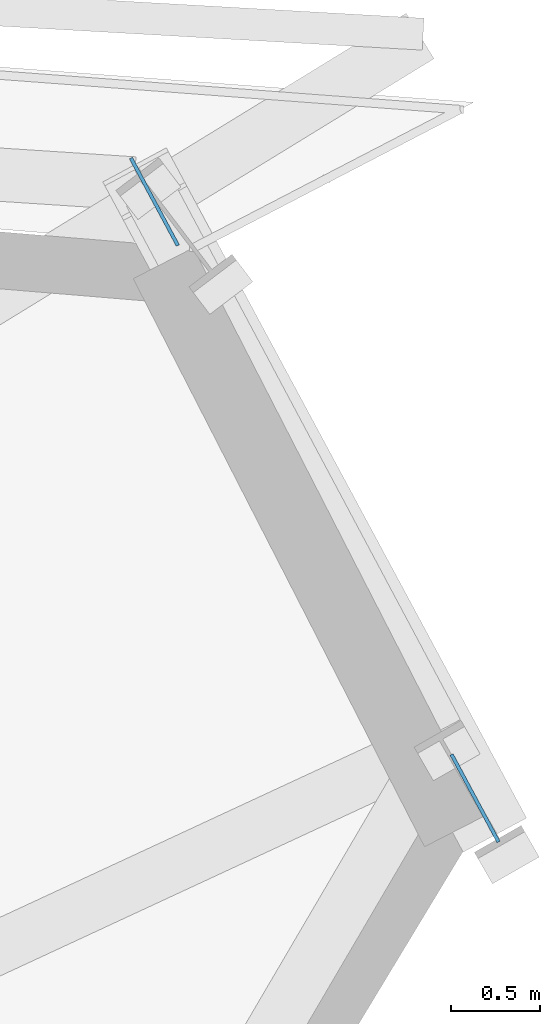
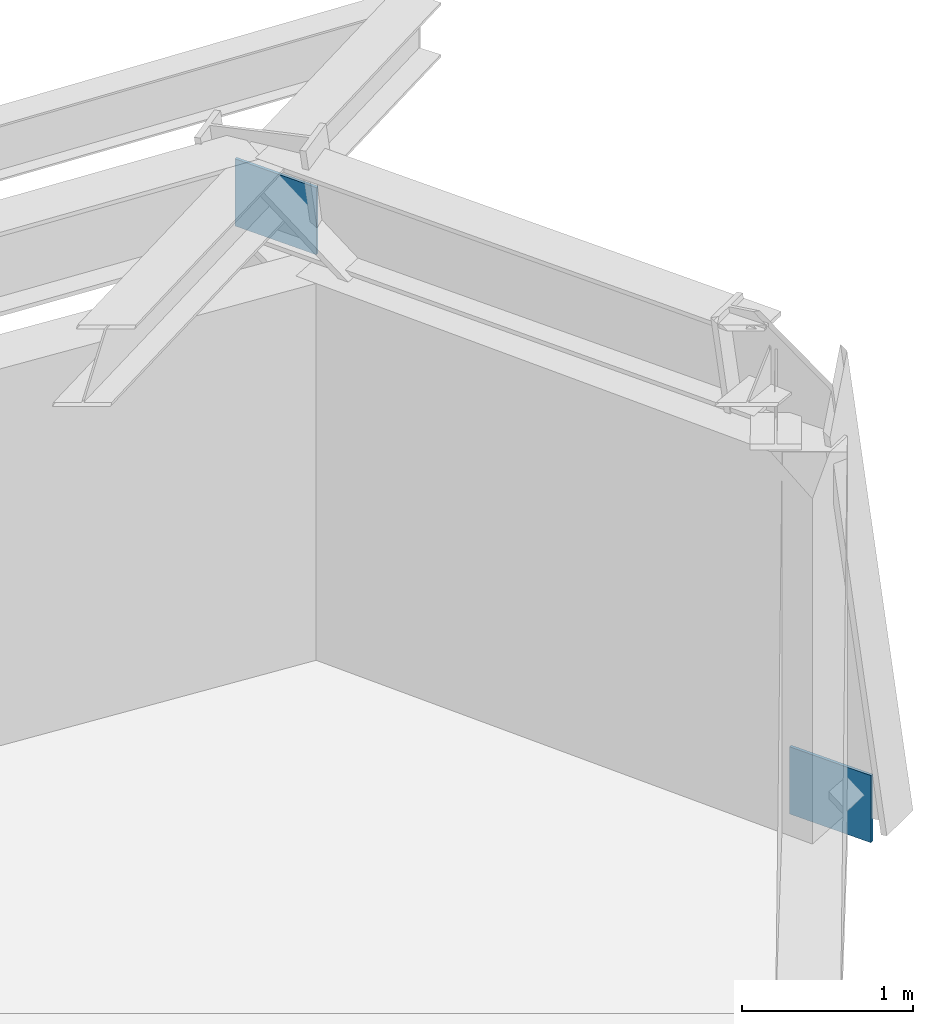
# One storey, part 8 of 15: 2 plates.
"""IFC4 building model written with IfcOpenShell, lengths in metres."""

from ifc_helpers import new_model, si_unit, direction, frame, origin, origin_2d, place, context, subcontext, project, spatial, rectangle, extrude, source, transform, mapped, material, type_object, element, save


model = new_model("IFC4")

# Units and contexts
model_context = context("Model", 3, precision=1e-05, world=origin(), true_north=direction((0.0, 1.0)))
body_context = subcontext(model_context, "Body", "Model", "MODEL_VIEW")
ifc_project = project(units=[si_unit("LENGTHUNIT", "METRE"), si_unit("AREAUNIT", "SQUARE_METRE"), si_unit("VOLUMEUNIT", "CUBIC_METRE"), si_unit("PLANEANGLEUNIT", "RADIAN"), si_unit("MASSUNIT", "GRAM", prefix="KILO")], contexts=[model_context])

# Site, building, storey
site_placement = place(None, origin())
site = spatial("IfcSite", under=ifc_project, at=site_placement, CompositionType="ELEMENT")
building_placement = place(site_placement, origin())
building = spatial("IfcBuilding", under=site, at=building_placement, Name="Olszyna Solenne Hotel", CompositionType="ELEMENT")
storey_placement = place(building_placement, frame((0.0, 0.0, 146.60009765625)))
storey = spatial("IfcBuildingStorey", under=building, at=storey_placement, Name="L38", CompositionType="ELEMENT", Elevation=146.60009765625)

# Plates
ifc_material = material(Name="Steel S355J2", Category="steel")
plate_type = type_object("IfcPlateType", Name="GP-ND2", PredefinedType="USERDEFINED", material=ifc_material)
shared_shape = source(origin(), body_context, "Body", "SweptSolid", [
    extrude(rectangle(XDim=0.56005859375, YDim=0.02001953125, at=origin_2d()), origin(), (0.0, 0.0, 1.0), 0.47998046875),
])
for number, where, z_axis, x_axis, name in (
    (1, (65.010009765625, 38.736083984375, -0.1474609375), (0.0, 0.0, 1.0), (-0.473473404412, 0.880808114923, 0.0), "Brace end connection gusset plate GP-ND2 EP-BR-L38-1-1"),
    (2, (63.202880859375, 42.097412109375, 2.647216796875), (0.0, 0.0, 1.0), (-0.473473404412, 0.880808114923, 0.0), "Brace end connection gusset plate GP-ND2 EP-BR-L38-1-2"),
):
    element("IfcPlate", number, at=place(storey_placement, frame(where, z_axis=z_axis, x_axis=x_axis)), inside=storey, type_object=plate_type, Name=name, ObjectType="GUSSET_PLATE", PredefinedType="USERDEFINED", context=body_context, shape_type="MappedRepresentation", body=[
        mapped(shared_shape, transform((0.0, 0.0, 0.0), x_axis=(1.0, 0.0, 0.0), y_axis=(0.0, 1.0, 0.0), z_axis=(0.0, 0.0, 1.0), scale=1.0)),
    ])

save(model, "model.ifc")
